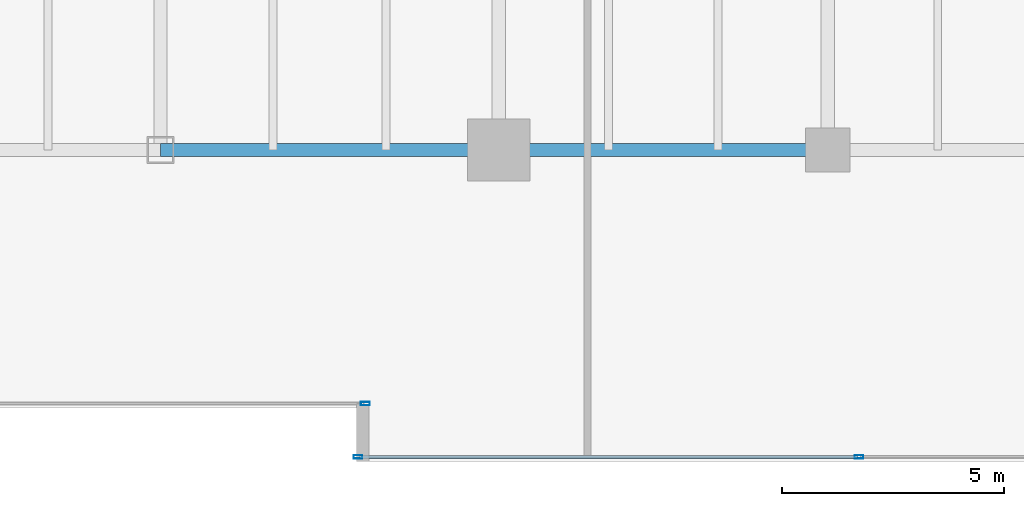
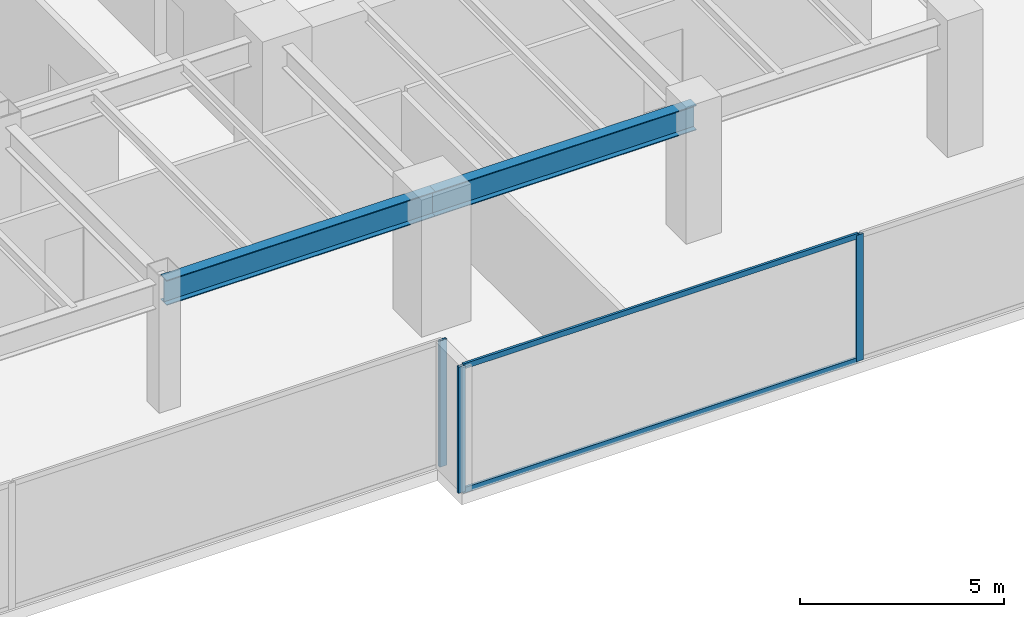
# One storey, part 10 of 35: 5 members, 2 beams, 2 elements without a shape of their own.
"""IFC4 building model written with IfcOpenShell, lengths in metres."""

from ifc_helpers import new_model, si_unit, direction, frame, origin, origin_2d, place, context, subcontext, project, spatial, hollow_rectangle, i_section, extrude, source, transform, mapped, material, layer, layer_set, material_profile, profile_set, type_object, type_shapes, element, aggregate, save


model = new_model("IFC4")

# Units and contexts
model_context = context("Model", 3, precision=1e-05, world=origin(), true_north=direction((0.0, 1.0)))
body_context = subcontext(model_context, "Body", "Model", "MODEL_VIEW")
ifc_project = project(units=[si_unit("LENGTHUNIT", "METRE"), si_unit("AREAUNIT", "SQUARE_METRE"), si_unit("VOLUMEUNIT", "CUBIC_METRE"), si_unit("PLANEANGLEUNIT", "RADIAN"), si_unit("MASSUNIT", "GRAM", prefix="KILO")], contexts=[model_context])

# Site, building, storey
site_placement = place(None, origin())
site = spatial("IfcSite", under=ifc_project, at=site_placement, CompositionType="ELEMENT")
building_placement = place(site_placement, origin())
building = spatial("IfcBuilding", under=site, at=building_placement, Name="Haelvirn Gate Laboratories", CompositionType="ELEMENT")
storey_placement = place(building_placement, frame((0.0, 0.0, 70.300048828125)))
storey = spatial("IfcBuildingStorey", under=building, at=storey_placement, Name="L17", CompositionType="ELEMENT", Elevation=70.300048828125)

# Beams
ifc_material_1 = material(Name="Steel SM355", Category="steel")
ifc_material_profile_1 = material_profile(ifc_material_1, i_section(OverallWidth=0.300048828125, OverallDepth=0.75, WebThickness=0.013916015625, FlangeThickness=0.02392578125, at=origin_2d()), Name="H-750x300x14x24")
ifc_profile_set_1 = profile_set([ifc_material_profile_1], Name="Steel SM355")
beam_type = type_object("IfcBeamType", Name="BM-G-750", PredefinedType="BEAM", material=ifc_profile_set_1)
shared_shape_1 = source(origin(), body_context, "Body", "SweptSolid", [
    extrude(i_section(OverallWidth=0.300048828125, OverallDepth=0.75, WebThickness=0.013916015625, FlangeThickness=0.02392578125, at=origin_2d()), origin(), (0.0, 0.0, 1.0), 7.39990234375),
])
beam_1_placement = place(storey_placement, frame((52.60009765625, 7.0, 3.405029296875), z_axis=(1.0, 0.0, 0.0), x_axis=(0.0, 1.0, 0.0)))
element("IfcBeam", 1, at=beam_1_placement, inside=storey, type_object=beam_type, Name="L17 Primary Girder Y7.0 (52.6-60.0)", PredefinedType="BEAM", context=body_context, shape_type="MappedRepresentation", body=[
    mapped(shared_shape_1, transform((0.0, 0.0, 0.0), scale=1.0)),
])
shared_shape_2 = source(origin(), body_context, "Body", "SweptSolid", [
    extrude(i_section(OverallWidth=0.300048828125, OverallDepth=0.75, WebThickness=0.013916015625, FlangeThickness=0.02392578125, at=origin_2d()), origin(), (0.0, 0.0, 1.0), 7.60009765625),
])
type_shapes(beam_type, [shared_shape_1, shared_shape_2])
beam_2_placement = place(storey_placement, frame((45.0, 7.0, 3.405029296875), z_axis=(1.0, 0.0, 0.0), x_axis=(0.0, 1.0, 0.0)))
element("IfcBeam", 2, at=beam_2_placement, inside=storey, type_object=beam_type, Name="L17 Primary Girder Y7.0 (45.0-52.6)", PredefinedType="BEAM", context=body_context, shape_type="MappedRepresentation", body=[
    mapped(shared_shape_2, transform((0.0, 0.0, 0.0), scale=1.0)),
])

# Curtain wall, member
ifc_material_2 = material(Name="Anodised bronze unitised aluminium & triple low-E glass", Category="aluminium")
ifc_layer = layer(ifc_material_2, 0.18408203125, Name="CW-SYS-2")
ifc_layer_set = layer_set([ifc_layer], Name="Anodised bronze unitised aluminium & triple low-E glass")
curtain_wall_type = type_object("IfcCurtainWallType", Name="CW-SYS-2", PredefinedType="NOTDEFINED", material=ifc_layer_set)
curtain_wall_1_placement = place(storey_placement, origin())
curtain_wall_1 = element("IfcCurtainWall", 3, at=curtain_wall_1_placement, inside=storey, type_object=curtain_wall_type, Name="L17 Unitised Curtain Wall CW-L17-P0-E02-1", PredefinedType="NOTDEFINED")
ifc_material_3 = material(Name="Extruded aluminium 6063-T6 (anodised bronze)", Category="aluminium")
ifc_material_profile_2 = material_profile(ifc_material_3, hollow_rectangle(XDim=0.074951171875, YDim=0.199951171875, WallThickness=0.0048828125, at=origin_2d()), Name="CWM-200x75x5")
ifc_profile_set_2 = profile_set([ifc_material_profile_2], Name="Extruded aluminium 6063-T6 (anodised bronze)")
member_type_1 = type_object("IfcMemberType", Name="CWM-T200", PredefinedType="MULLION", material=ifc_profile_set_2)
shared_shape_3 = source(origin(), body_context, "Body", "SweptSolid", [
    extrude(hollow_rectangle(XDim=0.074951171875, YDim=0.199951171875, WallThickness=0.0048828125, at=origin_2d()), origin(), (0.0, 0.0, 1.0), 3.780029296875),
])
type_shapes(member_type_1, [shared_shape_3])
member_1_placement = place(storey_placement, frame((49.6025390625, 1.300048828125, 0.0), z_axis=(0.0, 0.0, 1.0), x_axis=(0.0, 1.0, 0.0)))
member_1 = element("IfcMember", 4, at=member_1_placement, type_object=member_type_1, Name="CW2 mullion 3", PredefinedType="MULLION", context=body_context, shape_type="MappedRepresentation", body=[
    mapped(shared_shape_3, transform((0.0, 0.0, 0.0), scale=1.0)),
])
aggregate(curtain_wall_1, [member_1])

# Curtain wall, members
curtain_wall_2_placement = place(storey_placement, origin())
curtain_wall_2 = element("IfcCurtainWall", 5, at=curtain_wall_2_placement, inside=storey, type_object=curtain_wall_type, Name="L17 Unitised Curtain Wall CW-L17-P0-E04-1", PredefinedType="NOTDEFINED")
member_2_placement = place(storey_placement, frame((49.4375, 0.10009765625, 0.0), z_axis=(0.0, 0.0, 1.0), x_axis=(0.0, 1.0, 0.0)))
member_2 = element("IfcMember", 6, at=member_2_placement, type_object=member_type_1, Name="CW2 mullion 1", PredefinedType="MULLION", context=body_context, shape_type="MappedRepresentation", body=[
    mapped(shared_shape_3, transform((0.0, 0.0, 0.0), scale=1.0)),
])
member_3_placement = place(storey_placement, frame((60.699951171875, 0.10009765625, 0.0), z_axis=(0.0, 0.0, 1.0), x_axis=(0.0, 1.0, 0.0)))
member_3 = element("IfcMember", 7, at=member_3_placement, type_object=member_type_1, Name="CW2 mullion 2", PredefinedType="MULLION", context=body_context, shape_type="MappedRepresentation", body=[
    mapped(shared_shape_3, transform((0.0, 0.0, 0.0), scale=1.0)),
])
ifc_material_profile_3 = material_profile(ifc_material_3, hollow_rectangle(XDim=0.070068359375, YDim=0.159912109375, WallThickness=0.0048828125, at=origin_2d()), Name="CWT-160x70x5")
ifc_profile_set_3 = profile_set([ifc_material_profile_3], Name="Extruded aluminium 6063-T6 (anodised bronze)")
member_type_2 = type_object("IfcMemberType", Name="CWT-T160", PredefinedType="USERDEFINED", material=ifc_profile_set_3)
shared_shape_4 = source(origin(), body_context, "Body", "SweptSolid", [
    extrude(hollow_rectangle(XDim=0.070068359375, YDim=0.159912109375, WallThickness=0.0048828125, at=origin_2d()), origin(), (0.0, 0.0, 1.0), 11.1875),
])
type_shapes(member_type_2, [shared_shape_4])
member_4_placement = place(storey_placement, frame((49.47509765625, 0.10009765625, 0.034912109375), z_axis=(1.0, 0.0, 0.0), x_axis=(0.0, 1.0, 0.0)))
member_4 = element("IfcMember", 8, at=member_4_placement, type_object=member_type_2, Name="CW2 transom 1.1", ObjectType="TRANSOM", PredefinedType="USERDEFINED", context=body_context, shape_type="MappedRepresentation", body=[
    mapped(shared_shape_4, transform((0.0, 0.0, 0.0), scale=1.0)),
])
member_5_placement = place(storey_placement, frame((49.47509765625, 0.10009765625, 3.744873046875), z_axis=(1.0, 0.0, 0.0), x_axis=(0.0, 1.0, 0.0)))
member_5 = element("IfcMember", 9, at=member_5_placement, type_object=member_type_2, Name="CW2 transom 1.2", ObjectType="TRANSOM", PredefinedType="USERDEFINED", context=body_context, shape_type="MappedRepresentation", body=[
    mapped(shared_shape_4, transform((0.0, 0.0, 0.0), scale=1.0)),
])
aggregate(curtain_wall_2, [member_2, member_3, member_4, member_5])

save(model, "model.ifc")
